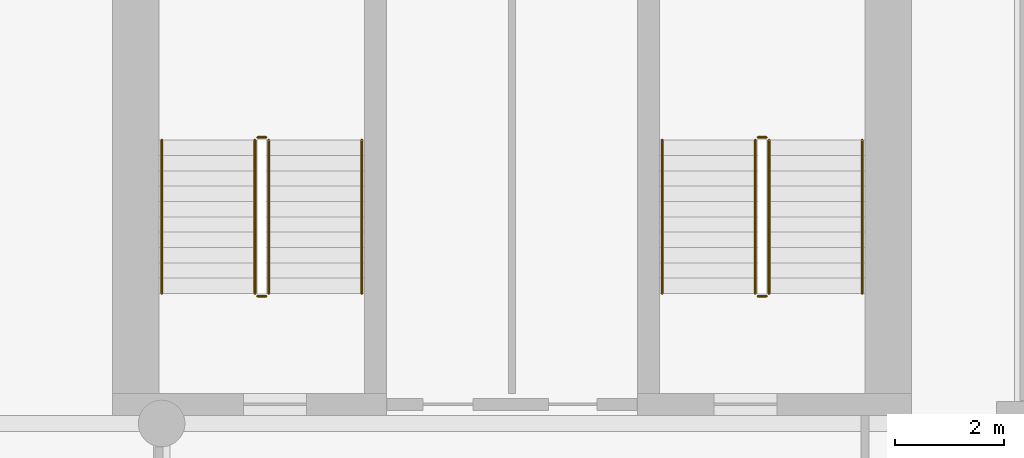
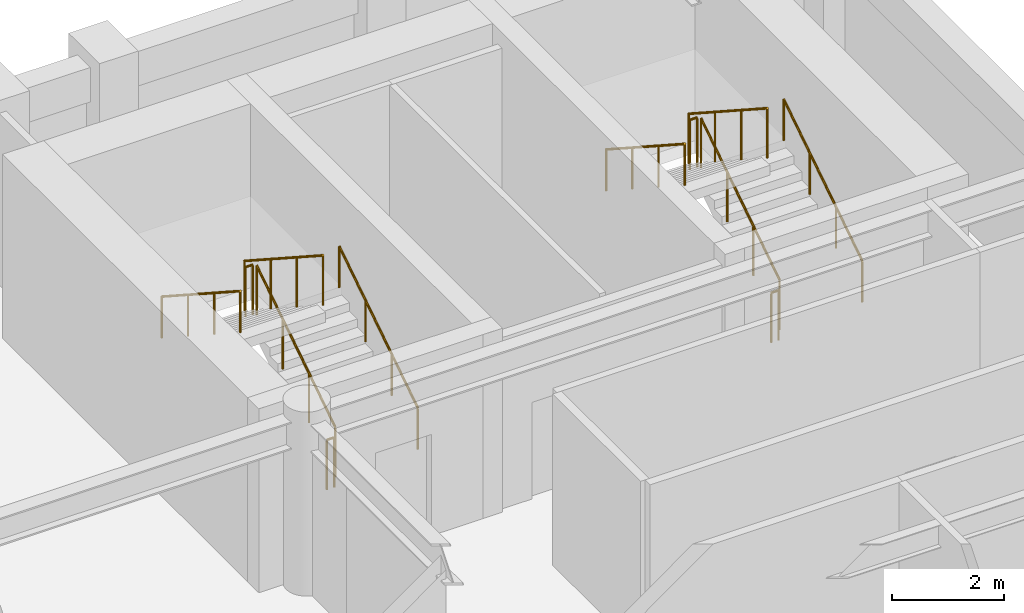
# One storey, part 8 of 8: 12 railings.
"""IFC4 building model written with IfcOpenShell, lengths in metres."""

import ifcopenshell
import ifcopenshell.guid

model = None  # the IFC model being written
_history = None  # IfcOwnerHistory: only IFC2X3 demands one
_inside = {}  # id of a spatial element -> (the spatial element, [elements in it])
_under = {}  # id of a project, library or spatial element -> (it, [spatial elements below it])
_declared = {}  # id of a project -> (the project, [libraries it declares])
_typed = {}  # id of a type object -> (the type object, [elements of that type])
_made_of = {}  # id of a material, layer set ... -> (it, [elements and type objects made of it])


def new_model(schema):
    """Start an empty IFC model of exactly this schema.

    Asked for "IFC4X3", IfcOpenShell would pick the latest addendum, in which some entities
    have other attributes; the version numbers below select the first issue.
    IFC2X3 requires an IfcOwnerHistory on every rooted entity: one is made here for all.
    """
    global model, _history
    if schema == "IFC4X3":
        model = ifcopenshell.file(schema_version=(4, 3, 0, 0))
    else:
        model = ifcopenshell.file(schema=schema)
    _inside.clear()
    _under.clear()
    _declared.clear()
    _typed.clear()
    _made_of.clear()
    _history = None
    if model.schema == "IFC2X3":
        org = make("IfcOrganization", Name="unknown")
        user = make(
            "IfcPersonAndOrganization",
            ThePerson=make("IfcPerson", FamilyName="unknown"),
            TheOrganization=org,
        )
        app = make(
            "IfcApplication",
            ApplicationDeveloper=org,
            Version="unknown",
            ApplicationFullName="unknown",
            ApplicationIdentifier="unknown",
        )
        _history = make(
            "IfcOwnerHistory",
            OwningUser=user,
            OwningApplication=app,
            ChangeAction="ADDED",
            CreationDate=0,
        )
    return model


def make(cls, **values):
    """One entity of the class cls with the attributes given. An attribute that is None is left unset."""
    return model.create_entity(
        cls, **{name: value for name, value in values.items() if value is not None}
    )


def rooted(cls, **values):
    """An entity with a GlobalId (a new one), such as an element, a storey or a relation."""
    return make(cls, GlobalId=ifcopenshell.guid.new(), OwnerHistory=_history, **values)


def si_unit(unit_type, name, prefix=None):
    """IfcSIUnit, for example si_unit("LENGTHUNIT", "METRE", prefix="MILLI")."""
    return make("IfcSIUnit", UnitType=unit_type, Prefix=prefix, Name=name)


def assignment(units):
    """IfcUnitAssignment: the units of a project."""
    return None if units is None else make("IfcUnitAssignment", Units=units)


def point(xyz):
    """IfcCartesianPoint."""
    return None if xyz is None else make("IfcCartesianPoint", Coordinates=xyz)


def direction(xyz):
    """IfcDirection."""
    return None if xyz is None else make("IfcDirection", DirectionRatios=xyz)


def frame(location, z_axis=None, x_axis=None):
    """IfcAxis2Placement3D, a coordinate frame: its origin and axes. An axis left out is left unset."""
    return make(
        "IfcAxis2Placement3D",
        Location=point(location),
        Axis=direction(z_axis),
        RefDirection=direction(x_axis),
    )


def frame_2d(location, x_axis=None):
    """IfcAxis2Placement2D, a coordinate frame in the plane: its origin and x axis."""
    return make(
        "IfcAxis2Placement2D", Location=point(location), RefDirection=direction(x_axis)
    )


def origin():
    """The frame at (0, 0, 0) with its axes left unset."""
    return frame((0.0, 0.0, 0.0))


def origin_2d():
    """The frame at (0, 0) in the plane with its x axis left unset."""
    return frame_2d((0.0, 0.0))


def place(relative_to, where):
    """IfcLocalPlacement: puts the frame where relative to a parent placement (None: the world)."""
    return make(
        "IfcLocalPlacement", PlacementRelTo=relative_to, RelativePlacement=where
    )


def context(
    kind, dimensions, precision=None, world=None, true_north=None, identifier=None
):
    """IfcGeometricRepresentationContext, for example the 3D "Model" context."""
    return make(
        "IfcGeometricRepresentationContext",
        ContextIdentifier=identifier,
        ContextType=kind,
        CoordinateSpaceDimension=dimensions,
        Precision=precision,
        WorldCoordinateSystem=world,
        TrueNorth=true_north,
    )


def subcontext(parent, identifier, kind, view, scale=None):
    """IfcGeometricRepresentationSubContext, for example "Body" below "Model"."""
    return make(
        "IfcGeometricRepresentationSubContext",
        ContextIdentifier=identifier,
        ContextType=kind,
        ParentContext=parent,
        TargetScale=scale,
        TargetView=view,
    )


def project(units=None, contexts=None):
    """IfcProject with its units and contexts."""
    return rooted(
        "IfcProject",
        Name="project",
        RepresentationContexts=contexts,
        UnitsInContext=assignment(units),
    )


def spatial(cls, under=None, at=None, **own):
    """A site, building, storey or space (cls), placed at a placement, below another one or the project."""
    s = rooted(cls, ObjectPlacement=at, **own)
    if under is not None:
        _under.setdefault(under.id(), (under, []))[1].append(s)
    return s


def profile(cls, at=None, kind="AREA", **sizes):
    """A parametric profile (cls). Its sizes go by their IFC names, for example OverallWidth=200.0."""
    return make(cls, ProfileType=kind, Position=at, **sizes)


def circle(**sizes):
    """IfcCircleProfileDef."""
    return profile("IfcCircleProfileDef", **sizes)


def extrude(swept, where, along, depth):
    """IfcExtrudedAreaSolid: the profile swept, set in the frame where, extruded along a direction by depth."""
    return make(
        "IfcExtrudedAreaSolid",
        SweptArea=swept,
        Position=where,
        ExtrudedDirection=direction(along),
        Depth=depth,
    )


def shape(context_of_items, identifier, shape_type, items):
    """IfcShapeRepresentation: the items that make up one representation, for example the "Body"."""
    return make(
        "IfcShapeRepresentation",
        ContextOfItems=context_of_items,
        RepresentationIdentifier=identifier,
        RepresentationType=shape_type,
        Items=items,
    )


def material(Name=None, Category=None):
    """IfcMaterial."""
    return make("IfcMaterial", Name=Name, Category=Category)


def made_of(thing, what):
    """Note that an element or type object is made of a material, layer set ...; save() writes the relation."""
    if what is not None:
        _made_of.setdefault(what.id(), (what, []))[1].append(thing)
    return thing


def type_object(cls, material=None, **own):
    """A type object (cls), such as IfcWallType, which elements share."""
    return made_of(rooted(cls, **own), material)


def element(
    cls,
    number,
    at=None,
    inside=None,
    cuts=None,
    type_object=None,
    material=None,
    context=None,
    identifier="Body",
    shape_type=None,
    held_by="IfcProductDefinitionShape",
    body=None,
    shapes=None,
    **own,
):
    """One element of the class cls, such as IfcWall. Its Tag is "e" and its number.

    at: its placement. inside: the storey or other place that contains it. cuts: it is an
    opening in that element (IfcRelVoidsElement). A single representation is given by context,
    identifier, shape_type and body (its items); several are given by shapes. held_by: the class
    of the entity that holds the representations. save() writes the other relations.
    """
    e = rooted(cls, Tag="e%d" % number, ObjectPlacement=at, **own)
    if body is not None:
        shapes = [shape(context, identifier, shape_type, body)]
    if shapes is not None:
        e.Representation = make(held_by, Representations=shapes)
    if inside is not None:
        _inside.setdefault(inside.id(), (inside, []))[1].append(e)
    if cuts is not None:
        rooted(
            "IfcRelVoidsElement", RelatingBuildingElement=cuts, RelatedOpeningElement=e
        )
    if type_object is not None:
        _typed.setdefault(type_object.id(), (type_object, []))[1].append(e)
    return made_of(e, material)


def aggregate(whole, parts):
    """IfcRelAggregates: a whole, such as a stair, and the parts it consists of."""
    return rooted("IfcRelAggregates", RelatingObject=whole, RelatedObjects=parts)


def save(model, path):
    """Write the relations noted so far, then the file.

    IfcRelAggregates (storeys below a building ...), IfcRelContainedInSpatialStructure (elements
    in a storey), IfcRelDefinesByType, IfcRelAssociatesMaterial and IfcRelDeclares: one each for
    every whole, place, type object, material and project.
    """
    for whole, parts in _under.values():
        aggregate(whole, parts)
    for where, things in _inside.values():
        rooted(
            "IfcRelContainedInSpatialStructure",
            RelatedElements=things,
            RelatingStructure=where,
        )
    for kind, things in _typed.values():
        rooted("IfcRelDefinesByType", RelatedObjects=things, RelatingType=kind)
    for what, things in _made_of.values():
        rooted("IfcRelAssociatesMaterial", RelatedObjects=things, RelatingMaterial=what)
    for by, libraries in _declared.values():
        rooted("IfcRelDeclares", RelatingContext=by, RelatedDefinitions=libraries)
    model.write(path)


model = new_model("IFC4")

# Units and contexts
model_context = context("Model", 3, precision=1e-05, world=origin(), true_north=direction((0.0, 1.0)))
body_context = subcontext(model_context, "Body", "Model", "MODEL_VIEW")
ifc_project = project(units=[si_unit("LENGTHUNIT", "METRE"), si_unit("AREAUNIT", "SQUARE_METRE"), si_unit("VOLUMEUNIT", "CUBIC_METRE"), si_unit("PLANEANGLEUNIT", "RADIAN"), si_unit("MASSUNIT", "GRAM", prefix="KILO")], contexts=[model_context])

# Site, building, storey
site_placement = place(None, origin())
site = spatial("IfcSite", under=ifc_project, at=site_placement, CompositionType="ELEMENT")
building_placement = place(site_placement, origin())
building = spatial("IfcBuilding", under=site, at=building_placement, Name="Sulina Concourse Tower", CompositionType="ELEMENT")
storey_placement = place(building_placement, frame((0.0, 0.0, 170.60009765625)))
storey = spatial("IfcBuildingStorey", under=building, at=storey_placement, Name="L41", CompositionType="ELEMENT", Elevation=170.60009765625)

# Railings
ifc_material_1 = material(Name="Galvanised steel railing", Category="steel")
railing_type_1 = type_object("IfcRailingType", Name="Core Stair Steel Guardrail 1150mm", PredefinedType="GUARDRAIL", material=ifc_material_1)
railing_1_placement = place(storey_placement, frame((43.554931640625, 36.375, 0.181640625)))
element("IfcRailing", 1, at=railing_1_placement, inside=storey, type_object=railing_type_1, Name="L41 ST-3 stair guard 1", PredefinedType="GUARDRAIL", context=body_context, shape_type="SweptSolid", body=[
    extrude(circle(Radius=0.02392578125, at=origin_2d()), frame((0.0, 0.0, 1.076171875), z_axis=(0.0, 0.838672427954, 0.544636170843), x_axis=(-1.0, 0.0, 0.0)), (0.0, 0.0, 1.0), 3.338623046875),
    extrude(circle(Radius=0.02099609375, at=origin_2d()), origin(), (0.0, 0.0, 1.0), 1.052001953125),
    extrude(circle(Radius=0.02099609375, at=origin_2d()), frame((0.0, 0.933349609375, 0.606201171875)), (0.0, 0.0, 1.0), 1.052001953125),
    extrude(circle(Radius=0.02099609375, at=origin_2d()), frame((0.0, 1.86669921875, 1.212158203125)), (0.0, 0.0, 1.0), 1.052001953125),
    extrude(circle(Radius=0.02099609375, at=origin_2d()), frame((0.0, 2.800048828125, 1.818359375)), (0.0, 0.0, 1.0), 1.052001953125),
])
railing_2_placement = place(storey_placement, frame((43.5048828125, 39.22509765625, 2.0)))
element("IfcRailing", 2, at=railing_2_placement, inside=storey, type_object=railing_type_1, Name="L41 ST-3 stair guard 2", PredefinedType="GUARDRAIL", context=body_context, shape_type="SweptSolid", body=[
    extrude(circle(Radius=0.02392578125, at=origin_2d()), frame((0.0, 0.0, 1.076171875), z_axis=(-1.0, 0.0, 0.0), x_axis=(0.0, -1.0, 0.0)), (0.0, 0.0, 1.0), 0.14990234375),
    extrude(circle(Radius=0.02099609375, at=origin_2d()), origin(), (0.0, 0.0, 1.0), 1.052001953125),
    extrude(circle(Radius=0.02099609375, at=origin_2d()), frame((-0.14990234375, 0.0, 0.0)), (0.0, 0.0, 1.0), 1.052001953125),
])
railing_3_placement = place(storey_placement, frame((43.304931640625, 39.175048828125, 2.181640625)))
element("IfcRailing", 3, at=railing_3_placement, inside=storey, type_object=railing_type_1, Name="L41 ST-3 stair guard 3", PredefinedType="GUARDRAIL", context=body_context, shape_type="SweptSolid", body=[
    extrude(circle(Radius=0.02392578125, at=origin_2d()), frame((0.0, 0.0, 1.076171875), z_axis=(0.0, -0.838672427954, 0.544636170843), x_axis=(1.0, 0.0, 0.0)), (0.0, 0.0, 1.0), 3.338623046875),
    extrude(circle(Radius=0.02099609375, at=origin_2d()), origin(), (0.0, 0.0, 1.0), 1.052001953125),
    extrude(circle(Radius=0.02099609375, at=origin_2d()), frame((0.0, -0.933349609375, 0.606201171875)), (0.0, 0.0, 1.0), 1.052001953125),
    extrude(circle(Radius=0.02099609375, at=origin_2d()), frame((0.0, -1.86669921875, 1.212158203125)), (0.0, 0.0, 1.0), 1.052001953125),
    extrude(circle(Radius=0.02099609375, at=origin_2d()), frame((0.0, -2.800048828125, 1.818359375)), (0.0, 0.0, 1.0), 1.052001953125),
])
railing_4_placement = place(storey_placement, frame((43.5048828125, 36.324951171875, 0.0)))
element("IfcRailing", 4, at=railing_4_placement, inside=storey, type_object=railing_type_1, Name="L41 ST-3 stair guard 4", PredefinedType="GUARDRAIL", context=body_context, shape_type="SweptSolid", body=[
    extrude(circle(Radius=0.02392578125, at=origin_2d()), frame((0.0, 0.0, 1.076171875), z_axis=(-1.0, 0.0, 0.0), x_axis=(0.0, -1.0, 0.0)), (0.0, 0.0, 1.0), 0.14990234375),
    extrude(circle(Radius=0.02099609375, at=origin_2d()), origin(), (0.0, 0.0, 1.0), 1.052001953125),
    extrude(circle(Radius=0.02099609375, at=origin_2d()), frame((-0.14990234375, 0.0, 0.0)), (0.0, 0.0, 1.0), 1.052001953125),
])
railing_5_placement = place(storey_placement, frame((52.695068359375, 36.375, 0.181640625)))
element("IfcRailing", 5, at=railing_5_placement, inside=storey, type_object=railing_type_1, Name="L41 ST-4 stair guard 1", PredefinedType="GUARDRAIL", context=body_context, shape_type="SweptSolid", body=[
    extrude(circle(Radius=0.02392578125, at=origin_2d()), frame((0.0, 0.0, 1.076171875), z_axis=(0.0, 0.838672427954, 0.544636170843), x_axis=(-1.0, 0.0, 0.0)), (0.0, 0.0, 1.0), 3.338623046875),
    extrude(circle(Radius=0.02099609375, at=origin_2d()), origin(), (0.0, 0.0, 1.0), 1.052001953125),
    extrude(circle(Radius=0.02099609375, at=origin_2d()), frame((0.0, 0.933349609375, 0.606201171875)), (0.0, 0.0, 1.0), 1.052001953125),
    extrude(circle(Radius=0.02099609375, at=origin_2d()), frame((0.0, 1.86669921875, 1.212158203125)), (0.0, 0.0, 1.0), 1.052001953125),
    extrude(circle(Radius=0.02099609375, at=origin_2d()), frame((0.0, 2.800048828125, 1.818359375)), (0.0, 0.0, 1.0), 1.052001953125),
])
railing_6_placement = place(storey_placement, frame((52.64501953125, 39.22509765625, 2.0)))
element("IfcRailing", 6, at=railing_6_placement, inside=storey, type_object=railing_type_1, Name="L41 ST-4 stair guard 2", PredefinedType="GUARDRAIL", context=body_context, shape_type="SweptSolid", body=[
    extrude(circle(Radius=0.02392578125, at=origin_2d()), frame((0.0, 0.0, 1.076171875), z_axis=(-1.0, 0.0, 0.0), x_axis=(0.0, -1.0, 0.0)), (0.0, 0.0, 1.0), 0.14990234375),
    extrude(circle(Radius=0.02099609375, at=origin_2d()), origin(), (0.0, 0.0, 1.0), 1.052001953125),
    extrude(circle(Radius=0.02099609375, at=origin_2d()), frame((-0.14990234375, 0.0, 0.0)), (0.0, 0.0, 1.0), 1.052001953125),
])
railing_7_placement = place(storey_placement, frame((52.445068359375, 39.175048828125, 2.181640625)))
element("IfcRailing", 7, at=railing_7_placement, inside=storey, type_object=railing_type_1, Name="L41 ST-4 stair guard 3", PredefinedType="GUARDRAIL", context=body_context, shape_type="SweptSolid", body=[
    extrude(circle(Radius=0.02392578125, at=origin_2d()), frame((0.0, 0.0, 1.076171875), z_axis=(0.0, -0.838672427954, 0.544636170843), x_axis=(1.0, 0.0, 0.0)), (0.0, 0.0, 1.0), 3.338623046875),
    extrude(circle(Radius=0.02099609375, at=origin_2d()), origin(), (0.0, 0.0, 1.0), 1.052001953125),
    extrude(circle(Radius=0.02099609375, at=origin_2d()), frame((0.0, -0.933349609375, 0.606201171875)), (0.0, 0.0, 1.0), 1.052001953125),
    extrude(circle(Radius=0.02099609375, at=origin_2d()), frame((0.0, -1.86669921875, 1.212158203125)), (0.0, 0.0, 1.0), 1.052001953125),
    extrude(circle(Radius=0.02099609375, at=origin_2d()), frame((0.0, -2.800048828125, 1.818359375)), (0.0, 0.0, 1.0), 1.052001953125),
])
railing_8_placement = place(storey_placement, frame((52.64501953125, 36.324951171875, 0.0)))
element("IfcRailing", 8, at=railing_8_placement, inside=storey, type_object=railing_type_1, Name="L41 ST-4 stair guard 4", PredefinedType="GUARDRAIL", context=body_context, shape_type="SweptSolid", body=[
    extrude(circle(Radius=0.02392578125, at=origin_2d()), frame((0.0, 0.0, 1.076171875), z_axis=(-1.0, 0.0, 0.0), x_axis=(0.0, -1.0, 0.0)), (0.0, 0.0, 1.0), 0.14990234375),
    extrude(circle(Radius=0.02099609375, at=origin_2d()), origin(), (0.0, 0.0, 1.0), 1.052001953125),
    extrude(circle(Radius=0.02099609375, at=origin_2d()), frame((-0.14990234375, 0.0, 0.0)), (0.0, 0.0, 1.0), 1.052001953125),
])
ifc_material_2 = material(Name="Galvanised steel railing", Category="steel")
railing_type_2 = type_object("IfcRailingType", Name="Stair Wall Steel Handrail 920mm", PredefinedType="HANDRAIL", material=ifc_material_2)
railing_9_placement = place(storey_placement, frame((45.2548828125, 36.375, 0.181640625)))
element("IfcRailing", 9, at=railing_9_placement, inside=storey, type_object=railing_type_2, Name="L41 ST-3 stair handrail 1", PredefinedType="HANDRAIL", context=body_context, shape_type="SweptSolid", body=[
    extrude(circle(Radius=0.02392578125, at=origin_2d()), frame((0.0, 0.0, 0.89599609375), z_axis=(0.0, 0.838672427954, 0.544636170843), x_axis=(-1.0, 0.0, 0.0)), (0.0, 0.0, 1.0), 3.338623046875),
    extrude(circle(Radius=0.02099609375, at=origin_2d()), origin(), (0.0, 0.0, 1.0), 0.871826171875),
    extrude(circle(Radius=0.02099609375, at=origin_2d()), frame((0.0, 0.933349609375, 0.606201171875)), (0.0, 0.0, 1.0), 0.871826171875),
    extrude(circle(Radius=0.02099609375, at=origin_2d()), frame((0.0, 1.86669921875, 1.212158203125)), (0.0, 0.0, 1.0), 0.871826171875),
    extrude(circle(Radius=0.02099609375, at=origin_2d()), frame((0.0, 2.800048828125, 1.818359375)), (0.0, 0.0, 1.0), 0.871826171875),
])
railing_10_placement = place(storey_placement, frame((41.60498046875, 39.175048828125, 2.181640625)))
element("IfcRailing", 10, at=railing_10_placement, inside=storey, type_object=railing_type_2, Name="L41 ST-3 stair handrail 2", PredefinedType="HANDRAIL", context=body_context, shape_type="SweptSolid", body=[
    extrude(circle(Radius=0.02392578125, at=origin_2d()), frame((0.0, 0.0, 0.89599609375), z_axis=(0.0, -0.838672427954, 0.544636170843), x_axis=(1.0, 0.0, 0.0)), (0.0, 0.0, 1.0), 3.338623046875),
    extrude(circle(Radius=0.02099609375, at=origin_2d()), origin(), (0.0, 0.0, 1.0), 0.871826171875),
    extrude(circle(Radius=0.02099609375, at=origin_2d()), frame((0.0, -0.933349609375, 0.606201171875)), (0.0, 0.0, 1.0), 0.871826171875),
    extrude(circle(Radius=0.02099609375, at=origin_2d()), frame((0.0, -1.86669921875, 1.212158203125)), (0.0, 0.0, 1.0), 0.871826171875),
    extrude(circle(Radius=0.02099609375, at=origin_2d()), frame((0.0, -2.800048828125, 1.818359375)), (0.0, 0.0, 1.0), 0.871826171875),
])
railing_11_placement = place(storey_placement, frame((54.39501953125, 36.375, 0.181640625)))
element("IfcRailing", 11, at=railing_11_placement, inside=storey, type_object=railing_type_2, Name="L41 ST-4 stair handrail 1", PredefinedType="HANDRAIL", context=body_context, shape_type="SweptSolid", body=[
    extrude(circle(Radius=0.02392578125, at=origin_2d()), frame((0.0, 0.0, 0.89599609375), z_axis=(0.0, 0.838672427954, 0.544636170843), x_axis=(-1.0, 0.0, 0.0)), (0.0, 0.0, 1.0), 3.338623046875),
    extrude(circle(Radius=0.02099609375, at=origin_2d()), origin(), (0.0, 0.0, 1.0), 0.871826171875),
    extrude(circle(Radius=0.02099609375, at=origin_2d()), frame((0.0, 0.933349609375, 0.606201171875)), (0.0, 0.0, 1.0), 0.871826171875),
    extrude(circle(Radius=0.02099609375, at=origin_2d()), frame((0.0, 1.86669921875, 1.212158203125)), (0.0, 0.0, 1.0), 0.871826171875),
    extrude(circle(Radius=0.02099609375, at=origin_2d()), frame((0.0, 2.800048828125, 1.818359375)), (0.0, 0.0, 1.0), 0.871826171875),
])
railing_12_placement = place(storey_placement, frame((50.7451171875, 39.175048828125, 2.181640625)))
element("IfcRailing", 12, at=railing_12_placement, inside=storey, type_object=railing_type_2, Name="L41 ST-4 stair handrail 2", PredefinedType="HANDRAIL", context=body_context, shape_type="SweptSolid", body=[
    extrude(circle(Radius=0.02392578125, at=origin_2d()), frame((0.0, 0.0, 0.89599609375), z_axis=(0.0, -0.838672427954, 0.544636170843), x_axis=(1.0, 0.0, 0.0)), (0.0, 0.0, 1.0), 3.338623046875),
    extrude(circle(Radius=0.02099609375, at=origin_2d()), origin(), (0.0, 0.0, 1.0), 0.871826171875),
    extrude(circle(Radius=0.02099609375, at=origin_2d()), frame((0.0, -0.933349609375, 0.606201171875)), (0.0, 0.0, 1.0), 0.871826171875),
    extrude(circle(Radius=0.02099609375, at=origin_2d()), frame((0.0, -1.86669921875, 1.212158203125)), (0.0, 0.0, 1.0), 0.871826171875),
    extrude(circle(Radius=0.02099609375, at=origin_2d()), frame((0.0, -2.800048828125, 1.818359375)), (0.0, 0.0, 1.0), 0.871826171875),
])

save(model, "model.ifc")
